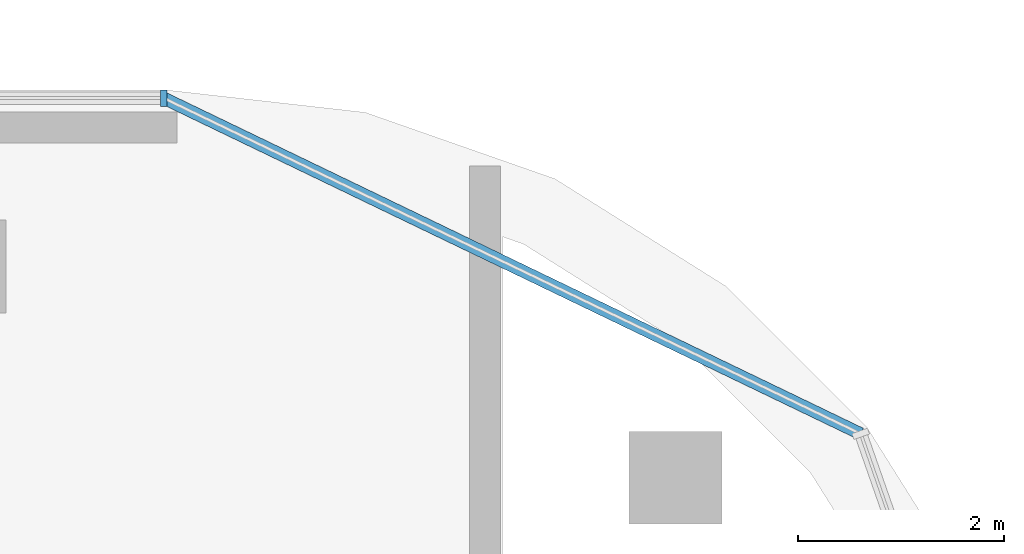
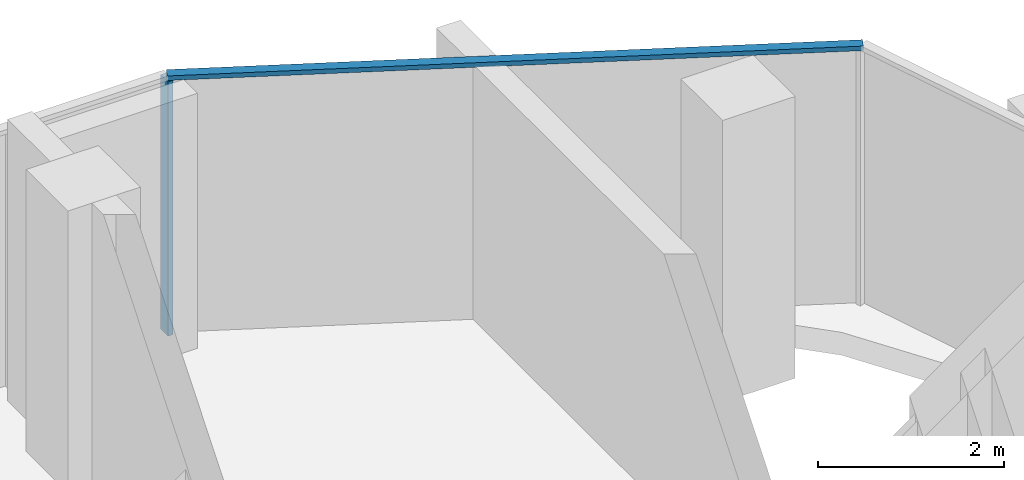
# One storey, part 5 of 19: 2 members, 2 elements without a shape of their own.
"""IFC4 building model written with IfcOpenShell, lengths in metres."""

from ifc_helpers import new_model, si_unit, direction, frame, origin, origin_2d, place, context, subcontext, project, spatial, rectangle, extrude, material, material_profile, profile_set, type_object, element, aggregate, save


model = new_model("IFC4")

# Units and contexts
model_context = context("Model", 3, precision=1e-05, world=origin(), true_north=direction((0.0, 1.0)))
body_context = subcontext(model_context, "Body", "Model", "MODEL_VIEW")
ifc_project = project(units=[si_unit("LENGTHUNIT", "METRE"), si_unit("AREAUNIT", "SQUARE_METRE"), si_unit("VOLUMEUNIT", "CUBIC_METRE"), si_unit("PLANEANGLEUNIT", "RADIAN"), si_unit("MASSUNIT", "GRAM", prefix="KILO")], contexts=[model_context])

# Site, building, storey
site_placement = place(None, origin())
site = spatial("IfcSite", under=ifc_project, at=site_placement, CompositionType="ELEMENT")
building_placement = place(site_placement, origin())
building = spatial("IfcBuilding", under=site, at=building_placement, Name="Ogive Portal Towers", CompositionType="ELEMENT")
storey_placement = place(building_placement, frame((0.0, 0.0, 203.199951171875)))
storey = spatial("IfcBuildingStorey", under=building, at=storey_placement, Name="L50", CompositionType="ELEMENT", Elevation=203.199951171875)

# Curtain wall, member
ifc_material_1 = material(Name="Glass, clear low-iron insulated glazing", Category="glass")
curtain_wall_type = type_object("IfcCurtainWallType", Name="CW FRONT RIBBON 4500", PredefinedType="NOTDEFINED", material=ifc_material_1)
curtain_wall_1_placement = place(storey_placement, origin())
curtain_wall_1 = element("IfcCurtainWall", 1, at=curtain_wall_1_placement, inside=storey, type_object=curtain_wall_type, Name="A:L50:f13:cw0", PredefinedType="NOTDEFINED")
ifc_material_2 = material(Name="Aluminium 6063 anodised", Category="aluminium")
ifc_material_profile_1 = material_profile(ifc_material_2, rectangle(XDim=0.159912109375, YDim=0.06005859375, at=origin_2d()), Name="AL 60x160")
ifc_profile_set_1 = profile_set([ifc_material_profile_1], Name="Aluminium 6063 anodised")
member_type_1 = type_object("IfcMemberType", Name="CW MULLION 60x160", PredefinedType="MULLION", material=ifc_profile_set_1)
member_1_placement = place(storey_placement, frame((87.481689453125, 41.135009765625, 0.0), z_axis=(0.0, 0.0, 1.0), x_axis=(0.0, -1.0, 0.0)))
member_1 = element("IfcMember", 2, at=member_1_placement, type_object=member_type_1, Name="mullion", PredefinedType="MULLION", context=body_context, shape_type="SweptSolid", body=[
    extrude(rectangle(XDim=0.159912109375, YDim=0.06005859375, at=origin_2d()), origin(), (0.0, 0.0, 1.0), 3.340087890625),
])
aggregate(curtain_wall_1, [member_1])

curtain_wall_2_placement = place(storey_placement, origin())
curtain_wall_2 = element("IfcCurtainWall", 3, at=curtain_wall_2_placement, inside=storey, type_object=curtain_wall_type, Name="A:L50:f11:cwa", PredefinedType="NOTDEFINED")
ifc_material_profile_2 = material_profile(ifc_material_2, rectangle(XDim=0.1201171875, YDim=0.06005859375, at=origin_2d()), Name="AL 120x60")
ifc_profile_set_2 = profile_set([ifc_material_profile_2], Name="Aluminium 6063 anodised")
member_type_2 = type_object("IfcMemberType", Name="CW TRANSOM 60x120", PredefinedType="USERDEFINED", material=ifc_profile_set_2)
member_2_placement = place(storey_placement, frame((94.2490234375, 37.8759765625, 3.3701171875), z_axis=(-0.900965905554, 0.433889890445, 0.0), x_axis=(-0.433889890445, -0.900965905554, 0.0)))
member_2 = element("IfcMember", 4, at=member_2_placement, type_object=member_type_2, Name="transom", ObjectType="TRANSOM", PredefinedType="USERDEFINED", context=body_context, shape_type="SweptSolid", body=[
    extrude(rectangle(XDim=0.1201171875, YDim=0.06005859375, at=origin_2d()), origin(), (0.0, 0.0, 1.0), 7.51123046875),
])
aggregate(curtain_wall_2, [member_2])

save(model, "model.ifc")
